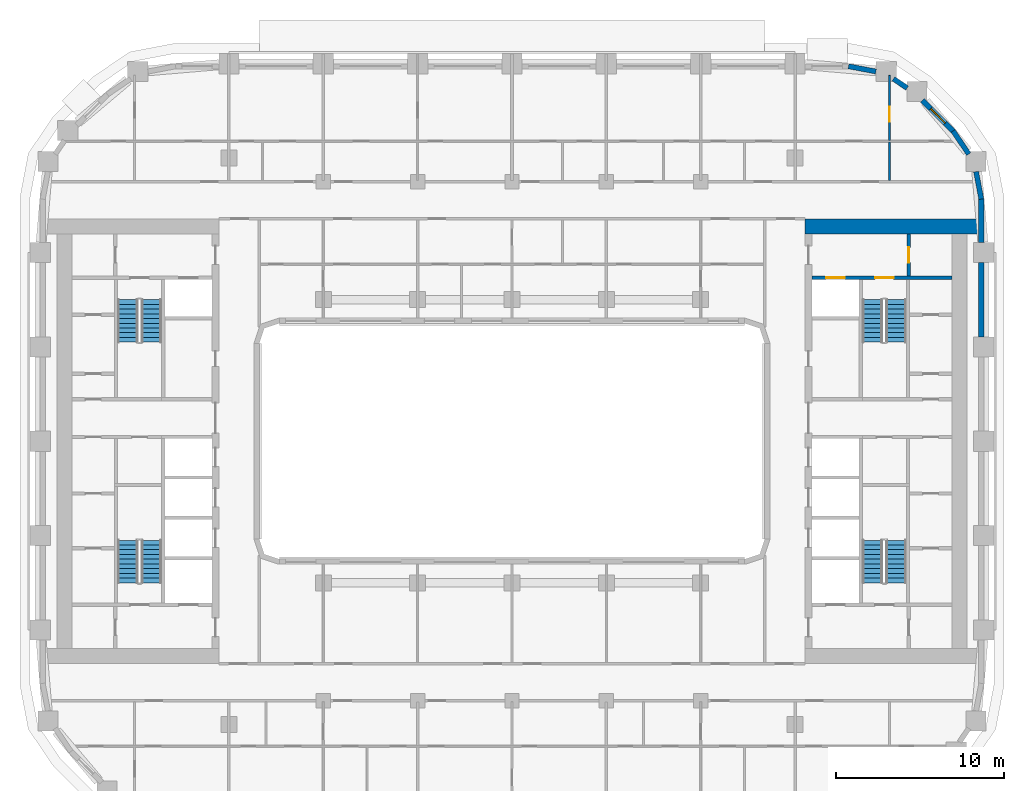
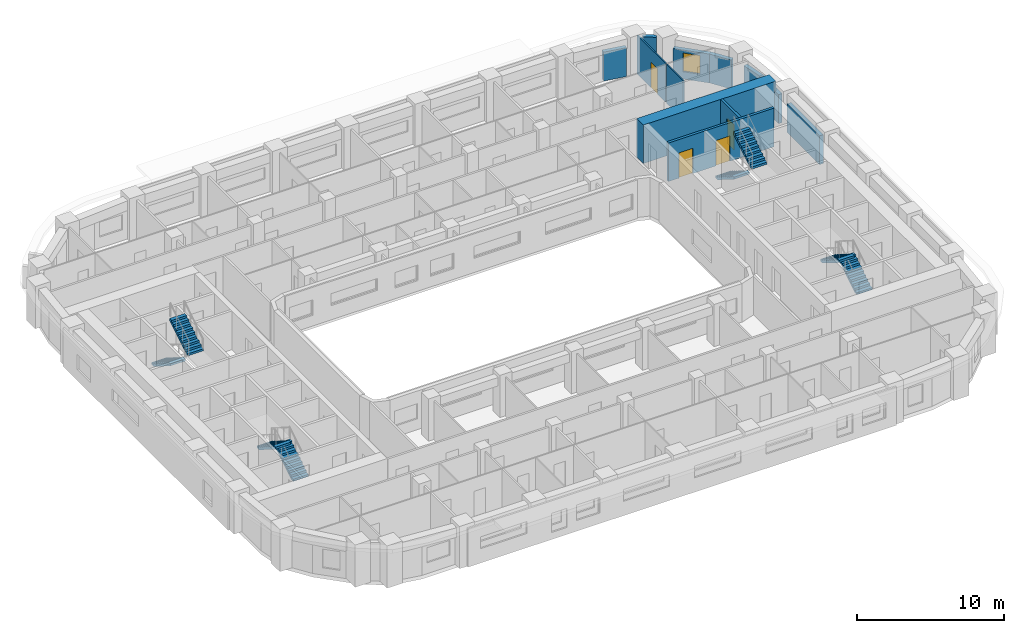
# One storey, part 10 of 21: 12 walls, 8 stair flights, 4 doors, 1 window, 5 openings, 4 elements without a shape of their own.
"""IFC4 building model written with IfcOpenShell, lengths in metres."""

from ifc_helpers import new_model, si_unit, direction, frame, frame_2d, origin, place, context, subcontext, project, spatial, polyline, rectangle, outline, extrude, material, layer, layer_set, type_object, element, fill, aggregate, save


model = new_model("IFC4")

# Units and contexts
model_context = context("Model", 3, precision=1e-05, world=origin(), true_north=direction((0.0, 1.0)))
body_context = subcontext(model_context, "Body", "Model", "MODEL_VIEW")
ifc_project = project(units=[si_unit("LENGTHUNIT", "METRE"), si_unit("AREAUNIT", "SQUARE_METRE"), si_unit("VOLUMEUNIT", "CUBIC_METRE"), si_unit("PLANEANGLEUNIT", "RADIAN"), si_unit("MASSUNIT", "GRAM", prefix="KILO")], contexts=[model_context])

# Site, building, storey
site_placement = place(None, origin())
site = spatial("IfcSite", under=ifc_project, at=site_placement, CompositionType="ELEMENT")
building_placement = place(site_placement, origin())
building = spatial("IfcBuilding", under=site, at=building_placement, Name="Kiln Ring Residences", CompositionType="ELEMENT")
storey_placement = place(building_placement, frame((0.0, 0.0, 114.800048828125)))
storey = spatial("IfcBuildingStorey", under=building, at=storey_placement, Name="L29", CompositionType="ELEMENT", Elevation=114.800048828125)

# Wall, opening, door
ifc_material_1 = material(Name="Gypsum board on steel studs", Category="steel")
ifc_layer_1 = layer(ifc_material_1, 0.199951171875)
ifc_layer_set_1 = layer_set([ifc_layer_1], Name="CORE-PARTITION-200")
wall_type_1 = type_object("IfcWallType", Name="CORE-PARTITION-200", PredefinedType="PARTITIONING", material=ifc_layer_set_1)
wall_1_placement = place(storey_placement, frame((23.550048828125, 9.800048828125, 0.0), z_axis=(0.0, 0.0, 1.0), x_axis=(0.0, 1.0, 0.0)))
wall_1 = element("IfcWall", 1, at=wall_1_placement, inside=storey, type_object=wall_type_1, Name="Core partition east L29 3", PredefinedType="PARTITIONING", context=body_context, shape_type="SweptSolid", body=[
    extrude(rectangle(XDim=2.5, YDim=0.199951171875, at=frame_2d((1.25, 0.0))), origin(), (0.0, 0.0, 1.0), 3.199951171875),
])
opening_1_placement = place(wall_1_placement, frame((0.800048828125, 0.0, 0.0)))
opening_1 = element("IfcOpeningElement", 2, at=opening_1_placement, cuts=wall_1, Name="Opening L29-CE09", PredefinedType="OPENING", context=body_context, shape_type="SweptSolid", body=[
    extrude(rectangle(XDim=0.89990234375, YDim=2.10009765625, at=frame_2d((0.449951171875, 1.050048828125))), frame((0.0, 0.10986328125, 0.0), z_axis=(0.0, -1.0, 0.0), x_axis=(1.0, 0.0, 0.0)), (0.0, 0.0, 1.0), 0.219970703125),
])
ifc_material_2 = material(Name="Steel door leaf", Category="steel")
door_type_1 = type_object("IfcDoorType", Name="CORE-DOOR-ROOM", OperationType="SINGLE_SWING_LEFT", PredefinedType="DOOR", material=ifc_material_2)
door_1_placement = place(opening_1_placement, origin())
door_1 = element("IfcDoor", 3, at=door_1_placement, inside=storey, type_object=door_type_1, Name="Fire riser room L29-CE09", OperationType="SINGLE_SWING_RIGHT", OverallHeight=2.10009765625, OverallWidth=0.89990234375, PredefinedType="DOOR", context=body_context, shape_type="SweptSolid", body=[
    extrude(rectangle(XDim=0.89990234375, YDim=2.10009765625, at=frame_2d((0.449951171875, 1.050048828125))), frame((0.0, 0.02490234375, 0.0), z_axis=(0.0, -1.0, 0.0), x_axis=(1.0, 0.0, 0.0)), (0.0, 0.0, 1.0), 0.050048828125),
])
fill(opening_1, door_1)

# Wall, openings, doors
ifc_material_3 = material(Name="Concrete C40/50", Category="concrete")
ifc_layer_2 = layer(ifc_material_3, 0.199951171875)
ifc_layer_set_2 = layer_set([ifc_layer_2], Name="CORE-WALL-RC200")
wall_type_2 = type_object("IfcWallType", Name="CORE-WALL-RC200", PredefinedType="SHEAR", material=ifc_layer_set_2)
wall_2_placement = place(storey_placement, frame((17.800048828125, 9.699951171875, 0.0), z_axis=(0.0, 0.0, 1.0), x_axis=(1.0, 0.0, 0.0)))
wall_2 = element("IfcWall", 4, at=wall_2_placement, inside=storey, type_object=wall_type_2, Name="Core wall east L29 9", PredefinedType="SHEAR", context=body_context, shape_type="SweptSolid", body=[
    extrude(rectangle(XDim=8.300048828125, YDim=0.199951171875, at=frame_2d((4.14990234375, 0.0))), origin(), (0.0, 0.0, 1.0), 3.199951171875),
])
opening_2_placement = place(wall_2_placement, frame((0.85009765625, 0.0, 0.0)))
opening_2 = element("IfcOpeningElement", 5, at=opening_2_placement, cuts=wall_2, Name="Opening L29-CE06", PredefinedType="OPENING", context=body_context, shape_type="SweptSolid", body=[
    extrude(rectangle(XDim=1.10009765625, YDim=2.10009765625, at=frame_2d((0.550048828125, 1.050048828125))), frame((0.0, 0.10986328125, 0.0), z_axis=(0.0, -1.0, 0.0), x_axis=(1.0, 0.0, 0.0)), (0.0, 0.0, 1.0), 0.219970703125),
])
opening_3_placement = place(wall_2_placement, frame((3.75, 0.0, 0.0)))
opening_3 = element("IfcOpeningElement", 6, at=opening_3_placement, cuts=wall_2, Name="Opening L29-CE11", PredefinedType="OPENING", context=body_context, shape_type="SweptSolid", body=[
    extrude(rectangle(XDim=1.10009765625, YDim=2.10009765625, at=frame_2d((0.550048828125, 1.050048828125))), frame((0.0, 0.10986328125, 0.0), z_axis=(0.0, -1.0, 0.0), x_axis=(1.0, 0.0, 0.0)), (0.0, 0.0, 1.0), 0.219970703125),
])
ifc_material_4 = material(Name="Steel door leaf", Category="steel")
door_type_2 = type_object("IfcDoorType", Name="CORE-DOOR-LD", OperationType="DOUBLE_DOOR_SLIDING", PredefinedType="DOOR", material=ifc_material_4)
door_2_placement = place(opening_2_placement, origin())
door_2 = element("IfcDoor", 7, at=door_2_placement, inside=storey, type_object=door_type_2, Name="LD E-FF L29-CE06", OperationType="DOUBLE_DOOR_SLIDING", OverallHeight=2.10009765625, OverallWidth=1.10009765625, PredefinedType="DOOR", context=body_context, shape_type="SweptSolid", body=[
    extrude(rectangle(XDim=1.10009765625, YDim=2.10009765625, at=frame_2d((0.550048828125, 1.050048828125))), frame((0.0, 0.02490234375, 0.0), z_axis=(0.0, -1.0, 0.0), x_axis=(1.0, 0.0, 0.0)), (0.0, 0.0, 1.0), 0.050048828125),
])
fill(opening_2, door_2)
ifc_material_5 = material(Name="Steel door leaf", Category="steel")
door_type_3 = type_object("IfcDoorType", Name="CORE-DOOR-STAIR", OperationType="SINGLE_SWING_LEFT", PredefinedType="DOOR", material=ifc_material_5)
door_3_placement = place(opening_3_placement, origin())
door_3 = element("IfcDoor", 8, at=door_3_placement, inside=storey, type_object=door_type_3, Name="Stair E-STN L29-CE11", OperationType="SINGLE_SWING_RIGHT", OverallHeight=2.10009765625, OverallWidth=1.10009765625, PredefinedType="DOOR", context=body_context, shape_type="SweptSolid", body=[
    extrude(rectangle(XDim=1.10009765625, YDim=2.10009765625, at=frame_2d((0.550048828125, 1.050048828125))), frame((0.0, 0.02490234375, 0.0), z_axis=(0.0, -1.0, 0.0), x_axis=(1.0, 0.0, 0.0)), (0.0, 0.0, 1.0), 0.050048828125),
])
fill(opening_3, door_3)

# Walls
ifc_material_6 = material(Name="Concrete C60/75", Category="concrete")
ifc_layer_3 = layer(ifc_material_6, 0.89990234375)
ifc_layer_set_3 = layer_set([ifc_layer_3], Name="CORE-WALL-RC900")
wall_type_3 = type_object("IfcWallType", Name="CORE-WALL-RC900", PredefinedType="SHEAR", material=ifc_layer_set_3)
wall_3_placement = place(storey_placement, frame((17.39990234375, 12.75, 0.0), z_axis=(0.0, 0.0, 1.0), x_axis=(1.0, 0.0, 0.0)))
element("IfcWall", 9, at=wall_3_placement, inside=storey, type_object=wall_type_3, Name="Core wall east L29 4", PredefinedType="SHEAR", context=body_context, shape_type="SweptSolid", body=[
    extrude(rectangle(XDim=10.400146484375, YDim=0.89990234375, at=frame_2d((5.2001953125, 0.0))), origin(), (0.0, 0.0, 1.0), 3.199951171875),
])
ifc_material_7 = material(Name="Brick masonry, dark clay brick", Category="masonry")
ifc_layer_4 = layer(ifc_material_7, 0.300048828125)
ifc_layer_set_4 = layer_set([ifc_layer_4], Name="EW-300 BRICK WALL")
wall_type_4 = type_object("IfcWallType", Name="EW-300 BRICK WALL", PredefinedType="SOLIDWALL", material=ifc_layer_set_4)
wall_4_placement = place(storey_placement, frame((27.85009765625, 6.199951171875, 0.0), z_axis=(0.0, 0.0, 1.0), x_axis=(0.0, 1.0, 0.0)))
element("IfcWall", 10, at=wall_4_placement, inside=storey, type_object=wall_type_4, Name="Facade wall L29 21", PredefinedType="SOLIDWALL", context=body_context, shape_type="SweptSolid", body=[
    extrude(rectangle(XDim=4.400146484375, YDim=0.300048828125, at=frame_2d((2.2001953125, 0.0))), origin(), (0.0, 0.0, 1.0), 2.39990234375),
])
wall_5_placement = place(storey_placement, frame((27.85009765625, 11.800048828125, 0.0), z_axis=(0.0, 0.0, 1.0), x_axis=(0.0, 1.0, 0.0)))
element("IfcWall", 11, at=wall_5_placement, inside=storey, type_object=wall_type_4, Name="Facade wall L29 22", PredefinedType="SOLIDWALL", context=body_context, shape_type="SweptSolid", body=[
    extrude(rectangle(XDim=2.599853515625, YDim=0.300048828125, at=frame_2d((1.2998046875, 0.0))), origin(), (0.0, 0.0, 1.0), 2.39990234375),
])
for number, where, z_axis, x_axis, name in (
    (12, (27.8525390625, 14.371826171875, 0.0), (0.0, 0.0, 1.0), (-0.187349172861, 0.982293381546, 0.0), "Facade wall L29 23"),
    (13, (27.10986328125, 17.04296875, 0.0), (0.0, 0.0, 1.0), (-0.562060017944, 0.82709644917, 0.0), "Facade wall L29 24"),
):
    element("IfcWall", number, at=place(storey_placement, frame(where, z_axis=z_axis, x_axis=x_axis)), inside=storey, type_object=wall_type_4, Name=name, PredefinedType="SOLIDWALL", context=body_context, shape_type="SweptSolid", body=[
        extrude(rectangle(XDim=1.65625, YDim=0.300048828125, at=frame_2d((0.828125, 0.0))), origin(), (0.0, 0.0, 1.0), 2.39990234375),
    ])

# Wall, opening, window
wall_6_placement = place(storey_placement, frame((26.19677734375, 18.390869140625, 0.0), z_axis=(0.0, 0.0, 1.0), x_axis=(-0.707059830104, 0.707153729152, 0.0)))
wall_6 = element("IfcWall", 14, at=wall_6_placement, inside=storey, type_object=wall_type_4, Name="Facade wall L29 25", PredefinedType="SOLIDWALL", context=body_context, shape_type="SweptSolid", body=[
    extrude(rectangle(XDim=2.60009765625, YDim=0.300048828125, at=frame_2d((1.300048828125, 0.0))), origin(), (0.0, 0.0, 1.0), 2.39990234375),
])
opening_4_placement = place(wall_6_placement, frame((0.699951171875, 0.0, 0.60009765625)))
opening_4 = element("IfcOpeningElement", 15, at=opening_4_placement, cuts=wall_6, Name="Opening W1", PredefinedType="OPENING", context=body_context, shape_type="SweptSolid", body=[
    extrude(rectangle(XDim=1.199951171875, YDim=1.550048828125, at=frame_2d((0.60009765625, 0.77490234375))), frame((0.0, 0.159912109375, 0.0), z_axis=(0.0, -1.0, 0.0), x_axis=(1.0, 0.0, 0.0)), (0.0, 0.0, 1.0), 0.320068359375),
])
ifc_material_8 = material(Name="Aluminium frame with double glazing", Category="aluminium")
window_type = type_object("IfcWindowType", Name="WINDOW 1200 x 1550", PartitioningType="SINGLE_PANEL", PredefinedType="WINDOW", material=ifc_material_8)
window_placement = place(opening_4_placement, origin())
window = element("IfcWindow", 16, at=window_placement, inside=storey, type_object=window_type, Name="Window L29 13", OverallHeight=1.550048828125, OverallWidth=1.199951171875, PartitioningType="SINGLE_PANEL", PredefinedType="WINDOW", context=body_context, shape_type="SweptSolid", body=[
    extrude(rectangle(XDim=1.199951171875, YDim=1.550048828125, at=frame_2d((0.60009765625, 0.77490234375))), frame((0.0, 0.030029296875, 0.0), z_axis=(0.0, -1.0, 0.0), x_axis=(1.0, 0.0, 0.0)), (0.0, 0.0, 1.0), 0.06005859375),
])
fill(opening_4, window)

# Walls
wall_7_placement = place(storey_placement, frame((23.451171875, 20.96044921875, 0.0), z_axis=(0.0, 0.0, 1.0), x_axis=(-0.827019434577, 0.562173331661, 0.0)))
element("IfcWall", 17, at=wall_7_placement, inside=storey, type_object=wall_type_4, Name="Facade wall L29 26", PredefinedType="SOLIDWALL", context=body_context, shape_type="SweptSolid", body=[
    extrude(rectangle(XDim=0.97705078125, YDim=0.300048828125, at=frame_2d((0.488525390625, 0.0))), origin(), (0.0, 0.0, 1.0), 3.199951171875),
])
wall_8_placement = place(storey_placement, frame((21.5986328125, 21.9423828125, 0.0), z_axis=(0.0, 0.0, 1.0), x_axis=(-0.98228820662, 0.187376303559, 0.0)))
element("IfcWall", 18, at=wall_8_placement, inside=storey, type_object=wall_type_4, Name="Facade wall L29 27", PredefinedType="SOLIDWALL", context=body_context, shape_type="SweptSolid", body=[
    extrude(rectangle(XDim=1.656005859375, YDim=0.300048828125, at=frame_2d((0.828125, 0.0))), origin(), (0.0, 0.0, 1.0), 2.39990234375),
])
ifc_material_9 = material(Name="Gypsum board on steel studs", Category="steel")
ifc_layer_5 = layer(ifc_material_9, 0.10009765625)
ifc_layer_set_5 = layer_set([ifc_layer_5], Name="PARTITION-100")
wall_type_5 = type_object("IfcWallType", Name="PARTITION-100", PredefinedType="PARTITIONING", material=ifc_layer_set_5)
wall_9_placement = place(storey_placement, frame((22.39990234375, 15.47509765625, 0.0), z_axis=(0.0, 0.0, 1.0), x_axis=(0.0, 1.0, 0.0)))
element("IfcWall", 19, at=wall_9_placement, inside=storey, type_object=wall_type_5, Name="Partition 070", PredefinedType="PARTITIONING", context=body_context, shape_type="SweptSolid", body=[
    extrude(rectangle(XDim=2.27490234375, YDim=0.10009765625, at=frame_2d((1.137451171875, 0.0))), origin(), (0.0, 0.0, 1.0), 3.199951171875),
])

# Wall, opening, door
wall_10_placement = place(storey_placement, frame((22.39990234375, 17.85009765625, 0.0), z_axis=(0.0, 0.0, 1.0), x_axis=(0.0, 1.0, 0.0)))
wall_10 = element("IfcWall", 20, at=wall_10_placement, inside=storey, type_object=wall_type_5, Name="Partition 071", PredefinedType="PARTITIONING", context=body_context, shape_type="SweptSolid", body=[
    extrude(rectangle(XDim=3.869873046875, YDim=0.10009765625, at=frame_2d((1.93505859375, 0.0))), origin(), (0.0, 0.0, 1.0), 3.199951171875),
])
opening_5_placement = place(wall_10_placement, frame((1.10009765625, 0.0, 0.0)))
opening_5 = element("IfcOpeningElement", 21, at=opening_5_placement, cuts=wall_10, Name="Opening L29-D042", PredefinedType="OPENING", context=body_context, shape_type="SweptSolid", body=[
    extrude(rectangle(XDim=0.89990234375, YDim=2.10009765625, at=frame_2d((0.449951171875, 1.050048828125))), frame((0.0, 0.06005859375, 0.0), z_axis=(0.0, -1.0, 0.0), x_axis=(1.0, 0.0, 0.0)), (0.0, 0.0, 1.0), 0.1201171875),
])
ifc_material_10 = material(Name="Timber door leaf", Category="wood")
door_type_4 = type_object("IfcDoorType", Name="FLAT-DOOR-900-PL", OperationType="SINGLE_SWING_LEFT", PredefinedType="DOOR", material=ifc_material_10)
door_4_placement = place(opening_5_placement, origin())
door_4 = element("IfcDoor", 22, at=door_4_placement, inside=storey, type_object=door_type_4, Name="Door L29-D042", OperationType="SINGLE_SWING_LEFT", OverallHeight=2.10009765625, OverallWidth=0.89990234375, PredefinedType="DOOR", context=body_context, shape_type="SweptSolid", body=[
    extrude(rectangle(XDim=0.89990234375, YDim=2.10009765625, at=frame_2d((0.449951171875, 1.050048828125))), frame((0.0, 0.02490234375, 0.0), z_axis=(0.0, -1.0, 0.0), x_axis=(1.0, 0.0, 0.0)), (0.0, 0.0, 1.0), 0.050048828125),
])
fill(opening_5, door_4)

# Stair, stair flights
ifc_material_11 = material(Name="Concrete C40/50", Category="concrete")
stair_type = type_object("IfcStairType", Name="CORE-STAIR", PredefinedType="HALF_TURN_STAIR", material=ifc_material_11)
placement = place(storey_placement, origin())
stair_1 = element("IfcStair", 23, at=placement, inside=storey, type_object=stair_type, Name="L29 stair W-STN", PredefinedType="HALF_TURN_STAIR")
ifc_material_12 = material(Name="Concrete C40/50", Category="concrete")
stair_flight_type = type_object("IfcStairFlightType", Name="CORE-STAIR-FLIGHT", PredefinedType="STRAIGHT", material=ifc_material_12)
stair_flight_1_placement = place(storey_placement, frame((-22.800048828125, 8.39990234375, 0.0), z_axis=(0.0, 0.0, 1.0), x_axis=(0.0, -1.0, 0.0)))
stair_flight_1 = element("IfcStairFlight", 24, at=stair_flight_1_placement, type_object=stair_flight_type, Name="W-STN flight 1", NumberOfRisers=10, NumberOfTreads=9, PredefinedType="STRAIGHT", RiserHeight=0.175, TreadLength=0.28, context=body_context, shape_type="SweptSolid", body=[
    extrude(outline(polyline([(0.0, 0.0), (0.0, 0.175048828125), (0.280029296875, 0.175048828125), (0.280029296875, 0.35009765625), (0.56005859375, 0.35009765625), (0.56005859375, 0.52490234375), (0.840087890625, 0.52490234375), (0.840087890625, 0.699951171875), (1.1201171875, 0.699951171875), (1.1201171875, 0.875), (1.39990234375, 0.875), (1.39990234375, 1.050048828125), (1.679931640625, 1.050048828125), (1.679931640625, 1.22509765625), (1.9599609375, 1.22509765625), (1.9599609375, 1.39990234375), (2.239990234375, 1.39990234375), (2.239990234375, 1.574951171875), (2.52001953125, 1.574951171875), (2.52001953125, 1.75), (2.52001953125, 1.398193359375), (0.28271484375, 0.0), (0.0, 0.0)])), frame((0.0, 0.60009765625, 0.0), z_axis=(0.0, -1.0, 0.0), x_axis=(1.0, 0.0, 0.0)), (0.0, 0.0, 1.0), 1.199951171875),
])
stair_flight_2_placement = place(storey_placement, frame((-21.39990234375, 5.8798828125, 1.75), z_axis=(0.0, 0.0, 1.0), x_axis=(0.0, 1.0, 0.0)))
stair_flight_2 = element("IfcStairFlight", 25, at=stair_flight_2_placement, type_object=stair_flight_type, Name="W-STN flight 2", NumberOfRisers=10, NumberOfTreads=9, PredefinedType="STRAIGHT", RiserHeight=0.175, TreadLength=0.28, context=body_context, shape_type="SweptSolid", body=[
    extrude(outline(polyline([(0.0, 0.0), (0.0, 0.175048828125), (0.280029296875, 0.175048828125), (0.280029296875, 0.35009765625), (0.56005859375, 0.35009765625), (0.56005859375, 0.52490234375), (0.840087890625, 0.52490234375), (0.840087890625, 0.699951171875), (1.1201171875, 0.699951171875), (1.1201171875, 0.875), (1.39990234375, 0.875), (1.39990234375, 1.050048828125), (1.679931640625, 1.050048828125), (1.679931640625, 1.22509765625), (1.9599609375, 1.22509765625), (1.9599609375, 1.39990234375), (2.239990234375, 1.39990234375), (2.239990234375, 1.574951171875), (2.52001953125, 1.574951171875), (2.52001953125, 1.75), (2.52001953125, 1.398193359375), (0.28271484375, 0.0), (0.0, 0.0)])), frame((0.0, 0.60009765625, 0.0), z_axis=(0.0, -1.0, 0.0), x_axis=(1.0, 0.0, 0.0)), (0.0, 0.0, 1.0), 1.199951171875),
])
aggregate(stair_1, [stair_flight_1, stair_flight_2])

stair_2 = element("IfcStair", 26, at=placement, inside=storey, type_object=stair_type, Name="L29 stair W-STS", PredefinedType="HALF_TURN_STAIR")
stair_flight_3_placement = place(storey_placement, frame((-21.39990234375, -8.39990234375, 0.0), z_axis=(0.0, 0.0, 1.0), x_axis=(0.0, 1.0, 0.0)))
stair_flight_3 = element("IfcStairFlight", 27, at=stair_flight_3_placement, type_object=stair_flight_type, Name="W-STS flight 1", NumberOfRisers=10, NumberOfTreads=9, PredefinedType="STRAIGHT", RiserHeight=0.175, TreadLength=0.28, context=body_context, shape_type="SweptSolid", body=[
    extrude(outline(polyline([(0.0, 0.0), (0.0, 0.175048828125), (0.280029296875, 0.175048828125), (0.280029296875, 0.35009765625), (0.56005859375, 0.35009765625), (0.56005859375, 0.52490234375), (0.840087890625, 0.52490234375), (0.840087890625, 0.699951171875), (1.1201171875, 0.699951171875), (1.1201171875, 0.875), (1.39990234375, 0.875), (1.39990234375, 1.050048828125), (1.679931640625, 1.050048828125), (1.679931640625, 1.22509765625), (1.9599609375, 1.22509765625), (1.9599609375, 1.39990234375), (2.239990234375, 1.39990234375), (2.239990234375, 1.574951171875), (2.52001953125, 1.574951171875), (2.52001953125, 1.75), (2.52001953125, 1.398193359375), (0.28271484375, 0.0), (0.0, 0.0)])), frame((0.0, 0.60009765625, 0.0), z_axis=(0.0, -1.0, 0.0), x_axis=(1.0, 0.0, 0.0)), (0.0, 0.0, 1.0), 1.199951171875),
])
stair_flight_4_placement = place(storey_placement, frame((-22.800048828125, -5.8798828125, 1.75), z_axis=(0.0, 0.0, 1.0), x_axis=(0.0, -1.0, 0.0)))
stair_flight_4 = element("IfcStairFlight", 28, at=stair_flight_4_placement, type_object=stair_flight_type, Name="W-STS flight 2", NumberOfRisers=10, NumberOfTreads=9, PredefinedType="STRAIGHT", RiserHeight=0.175, TreadLength=0.28, context=body_context, shape_type="SweptSolid", body=[
    extrude(outline(polyline([(0.0, 0.0), (0.0, 0.175048828125), (0.280029296875, 0.175048828125), (0.280029296875, 0.35009765625), (0.56005859375, 0.35009765625), (0.56005859375, 0.52490234375), (0.840087890625, 0.52490234375), (0.840087890625, 0.699951171875), (1.1201171875, 0.699951171875), (1.1201171875, 0.875), (1.39990234375, 0.875), (1.39990234375, 1.050048828125), (1.679931640625, 1.050048828125), (1.679931640625, 1.22509765625), (1.9599609375, 1.22509765625), (1.9599609375, 1.39990234375), (2.239990234375, 1.39990234375), (2.239990234375, 1.574951171875), (2.52001953125, 1.574951171875), (2.52001953125, 1.75), (2.52001953125, 1.398193359375), (0.28271484375, 0.0), (0.0, 0.0)])), frame((0.0, 0.60009765625, 0.0), z_axis=(0.0, -1.0, 0.0), x_axis=(1.0, 0.0, 0.0)), (0.0, 0.0, 1.0), 1.199951171875),
])
aggregate(stair_2, [stair_flight_3, stair_flight_4])

stair_3 = element("IfcStair", 29, at=placement, inside=storey, type_object=stair_type, Name="L29 stair E-STN", PredefinedType="HALF_TURN_STAIR")
stair_flight_5_placement = place(storey_placement, frame((21.39990234375, 8.39990234375, 0.0), z_axis=(0.0, 0.0, 1.0), x_axis=(0.0, -1.0, 0.0)))
stair_flight_5 = element("IfcStairFlight", 30, at=stair_flight_5_placement, type_object=stair_flight_type, Name="E-STN flight 1", NumberOfRisers=10, NumberOfTreads=9, PredefinedType="STRAIGHT", RiserHeight=0.175, TreadLength=0.28, context=body_context, shape_type="SweptSolid", body=[
    extrude(outline(polyline([(0.0, 0.0), (0.0, 0.175048828125), (0.280029296875, 0.175048828125), (0.280029296875, 0.35009765625), (0.56005859375, 0.35009765625), (0.56005859375, 0.52490234375), (0.840087890625, 0.52490234375), (0.840087890625, 0.699951171875), (1.1201171875, 0.699951171875), (1.1201171875, 0.875), (1.39990234375, 0.875), (1.39990234375, 1.050048828125), (1.679931640625, 1.050048828125), (1.679931640625, 1.22509765625), (1.9599609375, 1.22509765625), (1.9599609375, 1.39990234375), (2.239990234375, 1.39990234375), (2.239990234375, 1.574951171875), (2.52001953125, 1.574951171875), (2.52001953125, 1.75), (2.52001953125, 1.398193359375), (0.28271484375, 0.0), (0.0, 0.0)])), frame((0.0, 0.60009765625, 0.0), z_axis=(0.0, -1.0, 0.0), x_axis=(1.0, 0.0, 0.0)), (0.0, 0.0, 1.0), 1.199951171875),
])
stair_flight_6_placement = place(storey_placement, frame((22.800048828125, 5.8798828125, 1.75), z_axis=(0.0, 0.0, 1.0), x_axis=(0.0, 1.0, 0.0)))
stair_flight_6 = element("IfcStairFlight", 31, at=stair_flight_6_placement, type_object=stair_flight_type, Name="E-STN flight 2", NumberOfRisers=10, NumberOfTreads=9, PredefinedType="STRAIGHT", RiserHeight=0.175, TreadLength=0.28, context=body_context, shape_type="SweptSolid", body=[
    extrude(outline(polyline([(0.0, 0.0), (0.0, 0.175048828125), (0.280029296875, 0.175048828125), (0.280029296875, 0.35009765625), (0.56005859375, 0.35009765625), (0.56005859375, 0.52490234375), (0.840087890625, 0.52490234375), (0.840087890625, 0.699951171875), (1.1201171875, 0.699951171875), (1.1201171875, 0.875), (1.39990234375, 0.875), (1.39990234375, 1.050048828125), (1.679931640625, 1.050048828125), (1.679931640625, 1.22509765625), (1.9599609375, 1.22509765625), (1.9599609375, 1.39990234375), (2.239990234375, 1.39990234375), (2.239990234375, 1.574951171875), (2.52001953125, 1.574951171875), (2.52001953125, 1.75), (2.52001953125, 1.398193359375), (0.28271484375, 0.0), (0.0, 0.0)])), frame((0.0, 0.60009765625, 0.0), z_axis=(0.0, -1.0, 0.0), x_axis=(1.0, 0.0, 0.0)), (0.0, 0.0, 1.0), 1.199951171875),
])
aggregate(stair_3, [stair_flight_5, stair_flight_6])

stair_4 = element("IfcStair", 32, at=placement, inside=storey, type_object=stair_type, Name="L29 stair E-STS", PredefinedType="HALF_TURN_STAIR")
stair_flight_7_placement = place(storey_placement, frame((22.800048828125, -8.39990234375, 0.0), z_axis=(0.0, 0.0, 1.0), x_axis=(0.0, 1.0, 0.0)))
stair_flight_7 = element("IfcStairFlight", 33, at=stair_flight_7_placement, type_object=stair_flight_type, Name="E-STS flight 1", NumberOfRisers=10, NumberOfTreads=9, PredefinedType="STRAIGHT", RiserHeight=0.175, TreadLength=0.28, context=body_context, shape_type="SweptSolid", body=[
    extrude(outline(polyline([(0.0, 0.0), (0.0, 0.175048828125), (0.280029296875, 0.175048828125), (0.280029296875, 0.35009765625), (0.56005859375, 0.35009765625), (0.56005859375, 0.52490234375), (0.840087890625, 0.52490234375), (0.840087890625, 0.699951171875), (1.1201171875, 0.699951171875), (1.1201171875, 0.875), (1.39990234375, 0.875), (1.39990234375, 1.050048828125), (1.679931640625, 1.050048828125), (1.679931640625, 1.22509765625), (1.9599609375, 1.22509765625), (1.9599609375, 1.39990234375), (2.239990234375, 1.39990234375), (2.239990234375, 1.574951171875), (2.52001953125, 1.574951171875), (2.52001953125, 1.75), (2.52001953125, 1.398193359375), (0.28271484375, 0.0), (0.0, 0.0)])), frame((0.0, 0.60009765625, 0.0), z_axis=(0.0, -1.0, 0.0), x_axis=(1.0, 0.0, 0.0)), (0.0, 0.0, 1.0), 1.199951171875),
])
stair_flight_8_placement = place(storey_placement, frame((21.39990234375, -5.8798828125, 1.75), z_axis=(0.0, 0.0, 1.0), x_axis=(0.0, -1.0, 0.0)))
stair_flight_8 = element("IfcStairFlight", 34, at=stair_flight_8_placement, type_object=stair_flight_type, Name="E-STS flight 2", NumberOfRisers=10, NumberOfTreads=9, PredefinedType="STRAIGHT", RiserHeight=0.175, TreadLength=0.28, context=body_context, shape_type="SweptSolid", body=[
    extrude(outline(polyline([(0.0, 0.0), (0.0, 0.175048828125), (0.280029296875, 0.175048828125), (0.280029296875, 0.35009765625), (0.56005859375, 0.35009765625), (0.56005859375, 0.52490234375), (0.840087890625, 0.52490234375), (0.840087890625, 0.699951171875), (1.1201171875, 0.699951171875), (1.1201171875, 0.875), (1.39990234375, 0.875), (1.39990234375, 1.050048828125), (1.679931640625, 1.050048828125), (1.679931640625, 1.22509765625), (1.9599609375, 1.22509765625), (1.9599609375, 1.39990234375), (2.239990234375, 1.39990234375), (2.239990234375, 1.574951171875), (2.52001953125, 1.574951171875), (2.52001953125, 1.75), (2.52001953125, 1.398193359375), (0.28271484375, 0.0), (0.0, 0.0)])), frame((0.0, 0.60009765625, 0.0), z_axis=(0.0, -1.0, 0.0), x_axis=(1.0, 0.0, 0.0)), (0.0, 0.0, 1.0), 1.199951171875),
])
aggregate(stair_4, [stair_flight_7, stair_flight_8])

save(model, "model.ifc")
